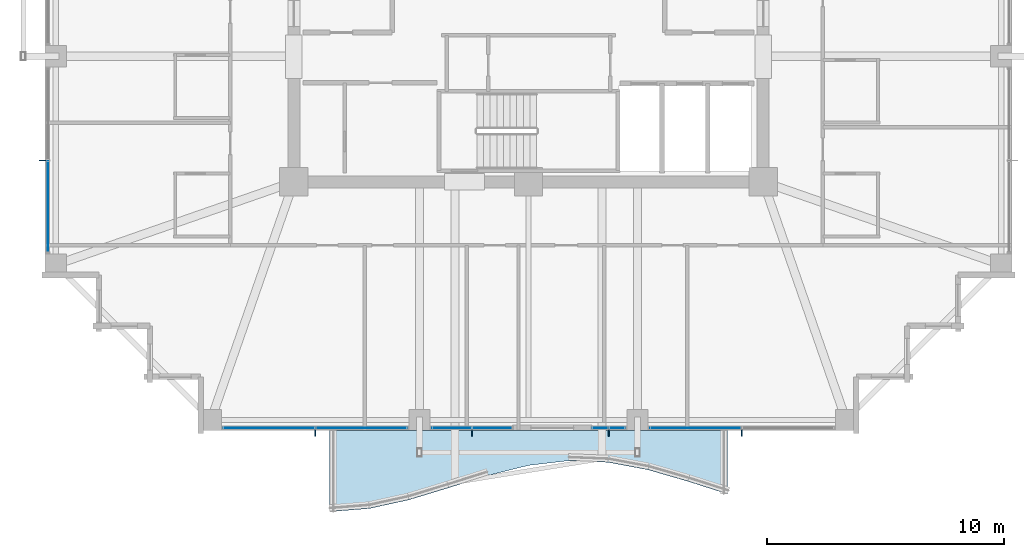
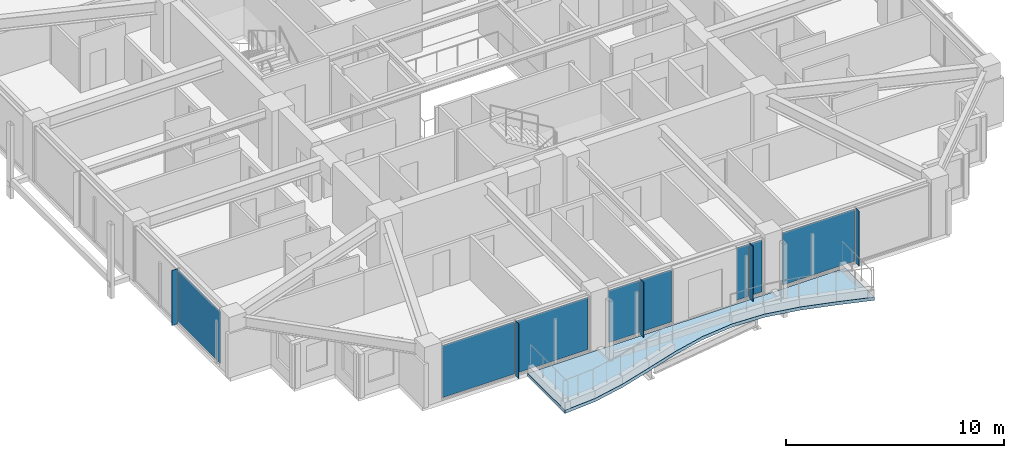
# One storey, part 25 of 37: 13 plates, 1 slab, 5 elements without a shape of their own.
"""IFC4 building model written with IfcOpenShell, lengths in metres."""

from ifc_helpers import new_model, si_unit, direction, frame, origin, origin_2d, place, context, subcontext, project, spatial, polyline, rectangle, outline, extrude, material, layer, layer_set, type_object, element, aggregate, save


model = new_model("IFC4")

# Units and contexts
model_context = context("Model", 3, precision=1e-05, world=origin(), true_north=direction((0.0, 1.0)))
body_context = subcontext(model_context, "Body", "Model", "MODEL_VIEW")
ifc_project = project(units=[si_unit("LENGTHUNIT", "METRE"), si_unit("AREAUNIT", "SQUARE_METRE"), si_unit("VOLUMEUNIT", "CUBIC_METRE"), si_unit("PLANEANGLEUNIT", "RADIAN"), si_unit("MASSUNIT", "GRAM", prefix="KILO")], contexts=[model_context])

# Site, building, storey
site_placement = place(None, origin())
site = spatial("IfcSite", under=ifc_project, at=site_placement, CompositionType="ELEMENT")
building_placement = place(site_placement, origin())
building = spatial("IfcBuilding", under=site, at=building_placement, Name="Kolvaren Belvedere", CompositionType="ELEMENT")
storey_placement = place(building_placement, frame((0.0, 0.0, 173.39990234375)))
storey = spatial("IfcBuildingStorey", under=building, at=storey_placement, Name="L50", CompositionType="ELEMENT", Elevation=173.39990234375)

# Curtain wall, plate
ifc_material_1 = material(Name="Anodised pale-metal aluminium AA 6063-T6", Category="aluminium")
curtain_wall_type = type_object("IfcCurtainWallType", Name="CW-Z5-HIGH", PredefinedType="NOTDEFINED", material=ifc_material_1)
curtain_wall_1_placement = place(storey_placement, origin())
curtain_wall_1 = element("IfcCurtainWall", 1, at=curtain_wall_1_placement, inside=storey, type_object=curtain_wall_type, Name="L50 Unitised Curtain Wall FCW-L50-S1-B1", PredefinedType="NOTDEFINED")
ifc_material_2 = material(Name="Low-iron triple insulated glass", Category="glass")
ifc_layer_1 = layer(ifc_material_2, 0.028076171875)
ifc_layer_set_1 = layer_set([ifc_layer_1], Name="Low-iron triple insulated glass")
plate_type_1 = type_object("IfcPlateType", Name="CW-PNL-VIS28", PredefinedType="CURTAIN_PANEL", material=ifc_layer_set_1)
plate_1_placement = place(storey_placement, frame((7.052490234375, -20.280029296875, 0.080078125), z_axis=(0.0, 0.0, 1.0), x_axis=(-1.0, 0.0, 0.0)))
plate_1 = element("IfcPlate", 2, at=plate_1_placement, type_object=plate_type_1, Name="FCW-L50-S1-B1 Vision Glazing Panel 2", PredefinedType="CURTAIN_PANEL", context=body_context, shape_type="SweptSolid", body=[
    extrude(rectangle(XDim=3.81494140625, YDim=0.028076171875, at=origin_2d()), origin(), (0.0, 0.0, 1.0), 2.919921875),
])
aggregate(curtain_wall_1, [plate_1])

# Curtain wall, plates
curtain_wall_2_placement = place(storey_placement, origin())
curtain_wall_2 = element("IfcCurtainWall", 3, at=curtain_wall_2_placement, inside=storey, type_object=curtain_wall_type, Name="L50 Unitised Curtain Wall FCW-L50-S1-B2", PredefinedType="NOTDEFINED")
plate_2_placement = place(storey_placement, frame((3.7412109375, -20.280029296875, 0.080078125), z_axis=(0.0, 0.0, 1.0), x_axis=(-1.0, 0.0, 0.0)))
plate_2 = element("IfcPlate", 4, at=plate_2_placement, type_object=plate_type_1, Name="FCW-L50-S1-B2 Vision Glazing Panel 1", PredefinedType="CURTAIN_PANEL", context=body_context, shape_type="SweptSolid", body=[
    extrude(rectangle(XDim=0.62744140625, YDim=0.028076171875, at=origin_2d()), origin(), (0.0, 0.0, 1.0), 2.919921875),
])
plate_3_placement = place(storey_placement, frame((3.03369140625, -20.280029296875, 0.080078125), z_axis=(0.0, 0.0, 1.0), x_axis=(-1.0, 0.0, 0.0)))
plate_3 = element("IfcPlate", 5, at=plate_3_placement, type_object=plate_type_1, Name="FCW-L50-S1-B2 Vision Glazing Panel 2", PredefinedType="CURTAIN_PANEL", context=body_context, shape_type="SweptSolid", body=[
    extrude(rectangle(XDim=0.62744140625, YDim=0.028076171875, at=origin_2d()), origin(), (0.0, 0.0, 1.0), 2.919921875),
])
aggregate(curtain_wall_2, [plate_2, plate_3])

curtain_wall_3_placement = place(storey_placement, origin())
curtain_wall_3 = element("IfcCurtainWall", 6, at=curtain_wall_3_placement, inside=storey, type_object=curtain_wall_type, Name="L50 Unitised Curtain Wall FCW-L50-S2-B1", PredefinedType="NOTDEFINED")
plate_4_placement = place(storey_placement, frame((-1.53369140625, -20.280029296875, 0.080078125), z_axis=(0.0, 0.0, 1.0), x_axis=(-1.0, 0.0, 0.0)))
plate_4 = element("IfcPlate", 7, at=plate_4_placement, type_object=plate_type_1, Name="FCW-L50-S2-B1 Vision Glazing Panel 1", PredefinedType="CURTAIN_PANEL", context=body_context, shape_type="SweptSolid", body=[
    extrude(rectangle(XDim=1.62744140625, YDim=0.028076171875, at=origin_2d()), origin(), (0.0, 0.0, 1.0), 2.919921875),
])
plate_5_placement = place(storey_placement, frame((-3.2412109375, -20.280029296875, 0.080078125), z_axis=(0.0, 0.0, 1.0), x_axis=(-1.0, 0.0, 0.0)))
plate_5 = element("IfcPlate", 8, at=plate_5_placement, type_object=plate_type_1, Name="FCW-L50-S2-B1 Vision Glazing Panel 2", PredefinedType="CURTAIN_PANEL", context=body_context, shape_type="SweptSolid", body=[
    extrude(rectangle(XDim=1.62744140625, YDim=0.028076171875, at=origin_2d()), origin(), (0.0, 0.0, 1.0), 2.919921875),
])
aggregate(curtain_wall_3, [plate_4, plate_5])

curtain_wall_4_placement = place(storey_placement, origin())
curtain_wall_4 = element("IfcCurtainWall", 9, at=curtain_wall_4_placement, inside=storey, type_object=curtain_wall_type, Name="L50 Unitised Curtain Wall FCW-L50-S2-B2", PredefinedType="NOTDEFINED")
plate_6_placement = place(storey_placement, frame((-7.052490234375, -20.280029296875, 0.080078125), z_axis=(0.0, 0.0, 1.0), x_axis=(-1.0, 0.0, 0.0)))
plate_6 = element("IfcPlate", 10, at=plate_6_placement, type_object=plate_type_1, Name="FCW-L50-S2-B2 Vision Glazing Panel 1", PredefinedType="CURTAIN_PANEL", context=body_context, shape_type="SweptSolid", body=[
    extrude(rectangle(XDim=3.81494140625, YDim=0.028076171875, at=origin_2d()), origin(), (0.0, 0.0, 1.0), 2.919921875),
])
plate_7_placement = place(storey_placement, frame((-10.947509765625, -20.280029296875, 0.080078125), z_axis=(0.0, 0.0, 1.0), x_axis=(-1.0, 0.0, 0.0)))
plate_7 = element("IfcPlate", 11, at=plate_7_placement, type_object=plate_type_1, Name="FCW-L50-S2-B2 Vision Glazing Panel 2", PredefinedType="CURTAIN_PANEL", context=body_context, shape_type="SweptSolid", body=[
    extrude(rectangle(XDim=3.81494140625, YDim=0.028076171875, at=origin_2d()), origin(), (0.0, 0.0, 1.0), 2.919921875),
])
aggregate(curtain_wall_4, [plate_6, plate_7])

# Curtain wall, plate
curtain_wall_5_placement = place(storey_placement, origin())
curtain_wall_5 = element("IfcCurtainWall", 12, at=curtain_wall_5_placement, inside=storey, type_object=curtain_wall_type, Name="L50 Unitised Curtain Wall FCW-L50-W-B1", PredefinedType="NOTDEFINED")
plate_8_placement = place(storey_placement, frame((-20.280029296875, -10.947509765625, 0.080078125), z_axis=(0.0, 0.0, 1.0), x_axis=(0.0, 1.0, 0.0)))
plate_8 = element("IfcPlate", 13, at=plate_8_placement, type_object=plate_type_1, Name="FCW-L50-W-B1 Vision Glazing Panel 1", PredefinedType="CURTAIN_PANEL", context=body_context, shape_type="SweptSolid", body=[
    extrude(rectangle(XDim=3.81494140625, YDim=0.028076171875, at=origin_2d()), origin(), (0.0, 0.0, 1.0), 2.919921875),
])
aggregate(curtain_wall_5, [plate_8])

# Plates
ifc_material_3 = material(Name="Anodised pale-metal aluminium AA 6063-T6", Category="aluminium")
ifc_layer_2 = layer(ifc_material_3, 0.030029296875)
ifc_layer_set_2 = layer_set([ifc_layer_2], Name="Anodised pale-metal aluminium AA 6063-T6")
plate_type_2 = type_object("IfcPlateType", Name="FIN-VERT-300", PredefinedType="USERDEFINED", material=ifc_layer_set_2)
for number, where, z_axis, x_axis, name in (
    (14, (9.0, -20.489990234375, 0.0), (0.0, 0.0, 1.0), (0.0, 1.0, 0.0), "L50 Pale-Metal Vertical Shading Fin FCW-L50-S1-B1-1"),
    (15, (3.387451171875, -20.489990234375, 0.0), (0.0, 0.0, 1.0), (0.0, 1.0, 0.0), "L50 Pale-Metal Vertical Shading Fin FCW-L50-S1-B2-1"),
    (16, (-2.387451171875, -20.489990234375, 0.0), (0.0, 0.0, 1.0), (0.0, 1.0, 0.0), "L50 Pale-Metal Vertical Shading Fin FCW-L50-S2-B1-1"),
    (17, (-9.0, -20.489990234375, 0.0), (0.0, 0.0, 1.0), (0.0, 1.0, 0.0), "L50 Pale-Metal Vertical Shading Fin FCW-L50-S2-B2-1"),
    (18, (-20.489990234375, -9.0, 0.0), (0.0, 0.0, 1.0), (1.0, 0.0, 0.0), "L50 Pale-Metal Vertical Shading Fin FCW-L50-W-B1-1"),
):
    element("IfcPlate", number, at=place(storey_placement, frame(where, z_axis=z_axis, x_axis=x_axis)), inside=storey, type_object=plate_type_2, Name=name, ObjectType="VERTICAL FIN", PredefinedType="USERDEFINED", context=body_context, shape_type="SweptSolid", body=[
        extrude(rectangle(XDim=0.300048828125, YDim=0.030029296875, at=origin_2d()), origin(), (0.0, 0.0, 1.0), 3.080078125),
    ])

# Slab
ifc_material_4 = material(Name="Concrete C50/60", Category="concrete")
ifc_layer_3 = layer(ifc_material_4, 0.179931640625)
ifc_layer_set_3 = layer_set([ifc_layer_3], Name="Concrete C50/60")
slab_type = type_object("IfcSlabType", Name="SL-BAL-180", PredefinedType="FLOOR", material=ifc_layer_set_3)
slab_placement = place(storey_placement, frame((0.0, 0.0, -0.219970703125)))
element("IfcSlab", 19, at=slab_placement, inside=storey, type_object=slab_type, Name="L50 Planted Balcony BAL-S", PredefinedType="FLOOR", context=body_context, shape_type="SweptSolid", body=[
    extrude(outline(polyline([(-8.39990234375, -23.820068359375), (-6.719970703125, -23.686279296875), (-5.0400390625, -23.318603515625), (-3.360107421875, -22.807861328125), (-1.679931640625, -22.2802734375), (0.0, -21.8662109375), (1.679931640625, -21.66845703125), (3.360107421875, -21.73583984375), (5.0400390625, -22.051513671875), (6.719970703125, -22.53759765625), (8.39990234375, -23.07373046875), (8.39990234375, -20.39990234375), (6.719970703125, -20.39990234375), (5.0400390625, -20.39990234375), (3.360107421875, -20.39990234375), (1.679931640625, -20.39990234375), (0.0, -20.39990234375), (-1.679931640625, -20.39990234375), (-3.360107421875, -20.39990234375), (-5.0400390625, -20.39990234375), (-6.719970703125, -20.39990234375), (-8.39990234375, -20.39990234375), (-8.39990234375, -23.820068359375)])), origin(), (0.0, 0.0, 1.0), 0.18017578125),
])

save(model, "model.ifc")
